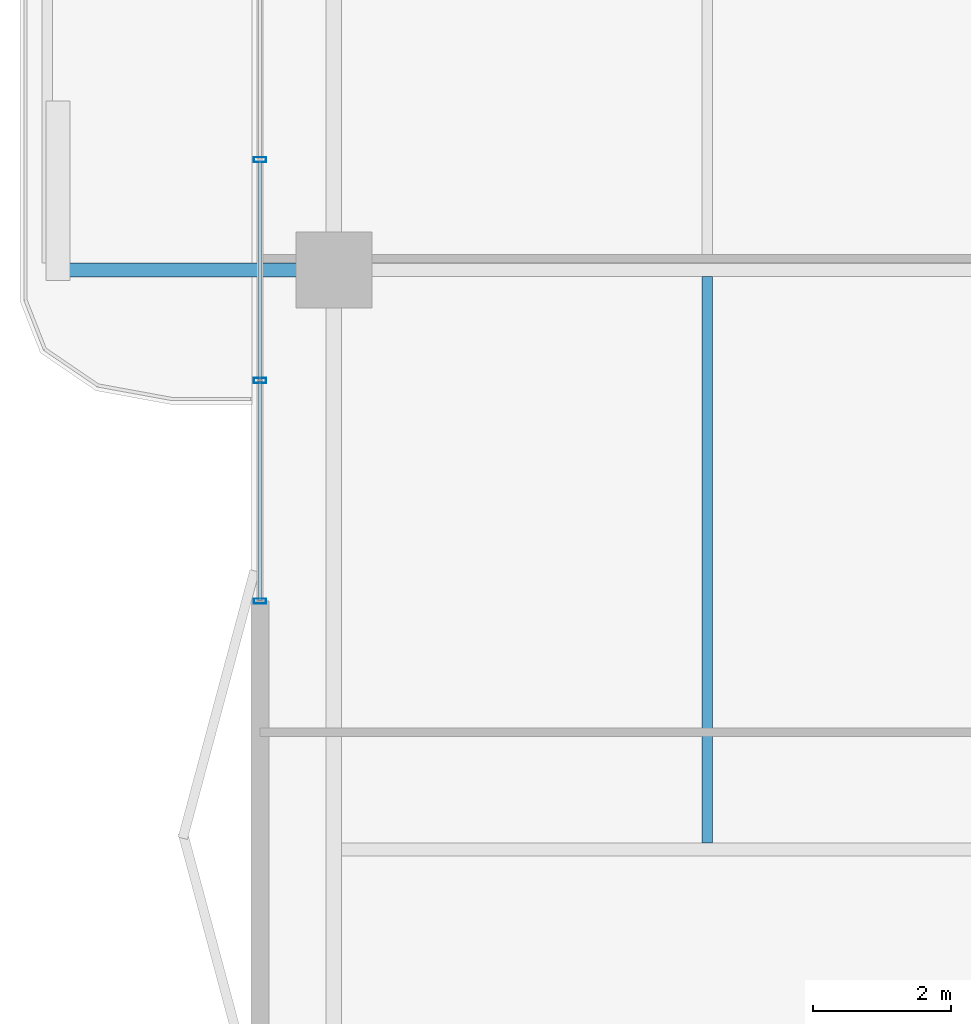
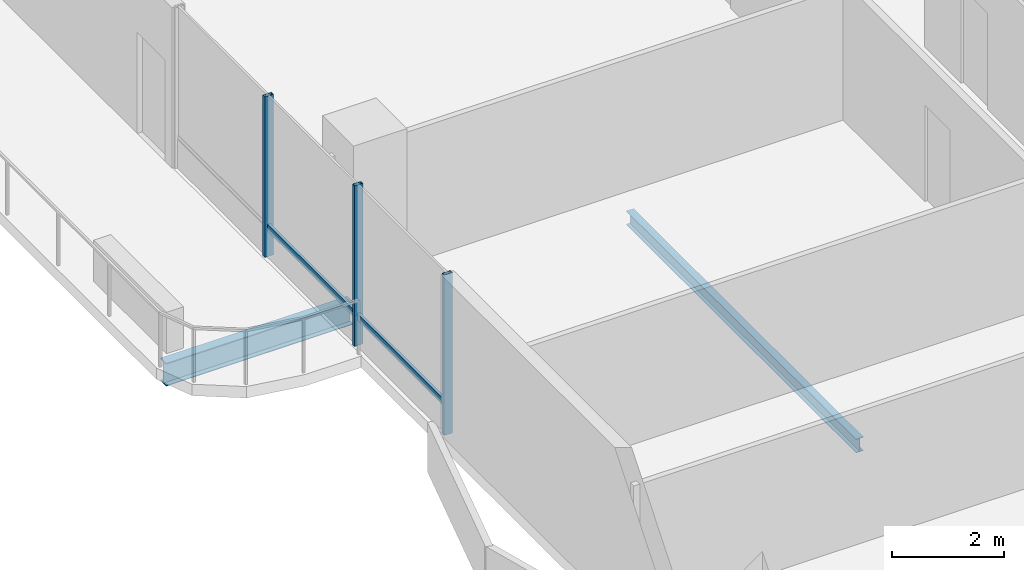
# One storey, part 4 of 24: 5 members, 2 beams, 1 element without a shape of its own.
"""IFC4 building model written with IfcOpenShell, lengths in metres."""

import ifcopenshell
import ifcopenshell.guid

model = None  # the IFC model being written
_history = None  # IfcOwnerHistory: only IFC2X3 demands one
_inside = {}  # id of a spatial element -> (the spatial element, [elements in it])
_under = {}  # id of a project, library or spatial element -> (it, [spatial elements below it])
_declared = {}  # id of a project -> (the project, [libraries it declares])
_typed = {}  # id of a type object -> (the type object, [elements of that type])
_made_of = {}  # id of a material, layer set ... -> (it, [elements and type objects made of it])


def new_model(schema):
    """Start an empty IFC model of exactly this schema.

    Asked for "IFC4X3", IfcOpenShell would pick the latest addendum, in which some entities
    have other attributes; the version numbers below select the first issue.
    IFC2X3 requires an IfcOwnerHistory on every rooted entity: one is made here for all.
    """
    global model, _history
    if schema == "IFC4X3":
        model = ifcopenshell.file(schema_version=(4, 3, 0, 0))
    else:
        model = ifcopenshell.file(schema=schema)
    _inside.clear()
    _under.clear()
    _declared.clear()
    _typed.clear()
    _made_of.clear()
    _history = None
    if model.schema == "IFC2X3":
        org = make("IfcOrganization", Name="unknown")
        user = make(
            "IfcPersonAndOrganization",
            ThePerson=make("IfcPerson", FamilyName="unknown"),
            TheOrganization=org,
        )
        app = make(
            "IfcApplication",
            ApplicationDeveloper=org,
            Version="unknown",
            ApplicationFullName="unknown",
            ApplicationIdentifier="unknown",
        )
        _history = make(
            "IfcOwnerHistory",
            OwningUser=user,
            OwningApplication=app,
            ChangeAction="ADDED",
            CreationDate=0,
        )
    return model


def make(cls, **values):
    """One entity of the class cls with the attributes given. An attribute that is None is left unset."""
    return model.create_entity(
        cls, **{name: value for name, value in values.items() if value is not None}
    )


def rooted(cls, **values):
    """An entity with a GlobalId (a new one), such as an element, a storey or a relation."""
    return make(cls, GlobalId=ifcopenshell.guid.new(), OwnerHistory=_history, **values)


def si_unit(unit_type, name, prefix=None):
    """IfcSIUnit, for example si_unit("LENGTHUNIT", "METRE", prefix="MILLI")."""
    return make("IfcSIUnit", UnitType=unit_type, Prefix=prefix, Name=name)


def assignment(units):
    """IfcUnitAssignment: the units of a project."""
    return None if units is None else make("IfcUnitAssignment", Units=units)


def point(xyz):
    """IfcCartesianPoint."""
    return None if xyz is None else make("IfcCartesianPoint", Coordinates=xyz)


def direction(xyz):
    """IfcDirection."""
    return None if xyz is None else make("IfcDirection", DirectionRatios=xyz)


def frame(location, z_axis=None, x_axis=None):
    """IfcAxis2Placement3D, a coordinate frame: its origin and axes. An axis left out is left unset."""
    return make(
        "IfcAxis2Placement3D",
        Location=point(location),
        Axis=direction(z_axis),
        RefDirection=direction(x_axis),
    )


def frame_2d(location, x_axis=None):
    """IfcAxis2Placement2D, a coordinate frame in the plane: its origin and x axis."""
    return make(
        "IfcAxis2Placement2D", Location=point(location), RefDirection=direction(x_axis)
    )


def origin():
    """The frame at (0, 0, 0) with its axes left unset."""
    return frame((0.0, 0.0, 0.0))


def origin_2d():
    """The frame at (0, 0) in the plane with its x axis left unset."""
    return frame_2d((0.0, 0.0))


def place(relative_to, where):
    """IfcLocalPlacement: puts the frame where relative to a parent placement (None: the world)."""
    return make(
        "IfcLocalPlacement", PlacementRelTo=relative_to, RelativePlacement=where
    )


def context(
    kind, dimensions, precision=None, world=None, true_north=None, identifier=None
):
    """IfcGeometricRepresentationContext, for example the 3D "Model" context."""
    return make(
        "IfcGeometricRepresentationContext",
        ContextIdentifier=identifier,
        ContextType=kind,
        CoordinateSpaceDimension=dimensions,
        Precision=precision,
        WorldCoordinateSystem=world,
        TrueNorth=true_north,
    )


def subcontext(parent, identifier, kind, view, scale=None):
    """IfcGeometricRepresentationSubContext, for example "Body" below "Model"."""
    return make(
        "IfcGeometricRepresentationSubContext",
        ContextIdentifier=identifier,
        ContextType=kind,
        ParentContext=parent,
        TargetScale=scale,
        TargetView=view,
    )


def project(units=None, contexts=None):
    """IfcProject with its units and contexts."""
    return rooted(
        "IfcProject",
        Name="project",
        RepresentationContexts=contexts,
        UnitsInContext=assignment(units),
    )


def spatial(cls, under=None, at=None, **own):
    """A site, building, storey or space (cls), placed at a placement, below another one or the project."""
    s = rooted(cls, ObjectPlacement=at, **own)
    if under is not None:
        _under.setdefault(under.id(), (under, []))[1].append(s)
    return s


def profile(cls, at=None, kind="AREA", **sizes):
    """A parametric profile (cls). Its sizes go by their IFC names, for example OverallWidth=200.0."""
    return make(cls, ProfileType=kind, Position=at, **sizes)


def hollow_rectangle(**sizes):
    """IfcRectangleHollowProfileDef."""
    return profile("IfcRectangleHollowProfileDef", **sizes)


def i_section(**sizes):
    """IfcIShapeProfileDef."""
    return profile("IfcIShapeProfileDef", **sizes)


def extrude(swept, where, along, depth):
    """IfcExtrudedAreaSolid: the profile swept, set in the frame where, extruded along a direction by depth."""
    return make(
        "IfcExtrudedAreaSolid",
        SweptArea=swept,
        Position=where,
        ExtrudedDirection=direction(along),
        Depth=depth,
    )


def shape(context_of_items, identifier, shape_type, items):
    """IfcShapeRepresentation: the items that make up one representation, for example the "Body"."""
    return make(
        "IfcShapeRepresentation",
        ContextOfItems=context_of_items,
        RepresentationIdentifier=identifier,
        RepresentationType=shape_type,
        Items=items,
    )


def material(Name=None, Category=None):
    """IfcMaterial."""
    return make("IfcMaterial", Name=Name, Category=Category)


def layer(
    of_material, thickness, ventilated=None, Name=None, Category=None, Priority=None
):
    """IfcMaterialLayer: one layer of a wall or slab, of a material (None: an air gap)."""
    return make(
        "IfcMaterialLayer",
        Material=of_material,
        LayerThickness=thickness,
        IsVentilated=ventilated,
        Name=Name,
        Category=Category,
        Priority=Priority,
    )


def layer_set(layers, Name=None):
    """IfcMaterialLayerSet."""
    return make("IfcMaterialLayerSet", MaterialLayers=layers, LayerSetName=Name)


def material_profile(
    of_material, cross_section, Name=None, Category=None, Priority=None
):
    """IfcMaterialProfile: a cross section and its material."""
    return make(
        "IfcMaterialProfile",
        Name=Name,
        Material=of_material,
        Profile=cross_section,
        Priority=Priority,
        Category=Category,
    )


def profile_set(profiles, Name=None, composite=None):
    """IfcMaterialProfileSet."""
    return make(
        "IfcMaterialProfileSet",
        Name=Name,
        MaterialProfiles=profiles,
        CompositeProfile=composite,
    )


def made_of(thing, what):
    """Note that an element or type object is made of a material, layer set ...; save() writes the relation."""
    if what is not None:
        _made_of.setdefault(what.id(), (what, []))[1].append(thing)
    return thing


def type_object(cls, material=None, **own):
    """A type object (cls), such as IfcWallType, which elements share."""
    return made_of(rooted(cls, **own), material)


def element(
    cls,
    number,
    at=None,
    inside=None,
    cuts=None,
    type_object=None,
    material=None,
    context=None,
    identifier="Body",
    shape_type=None,
    held_by="IfcProductDefinitionShape",
    body=None,
    shapes=None,
    **own,
):
    """One element of the class cls, such as IfcWall. Its Tag is "e" and its number.

    at: its placement. inside: the storey or other place that contains it. cuts: it is an
    opening in that element (IfcRelVoidsElement). A single representation is given by context,
    identifier, shape_type and body (its items); several are given by shapes. held_by: the class
    of the entity that holds the representations. save() writes the other relations.
    """
    e = rooted(cls, Tag="e%d" % number, ObjectPlacement=at, **own)
    if body is not None:
        shapes = [shape(context, identifier, shape_type, body)]
    if shapes is not None:
        e.Representation = make(held_by, Representations=shapes)
    if inside is not None:
        _inside.setdefault(inside.id(), (inside, []))[1].append(e)
    if cuts is not None:
        rooted(
            "IfcRelVoidsElement", RelatingBuildingElement=cuts, RelatedOpeningElement=e
        )
    if type_object is not None:
        _typed.setdefault(type_object.id(), (type_object, []))[1].append(e)
    return made_of(e, material)


def aggregate(whole, parts):
    """IfcRelAggregates: a whole, such as a stair, and the parts it consists of."""
    return rooted("IfcRelAggregates", RelatingObject=whole, RelatedObjects=parts)


def save(model, path):
    """Write the relations noted so far, then the file.

    IfcRelAggregates (storeys below a building ...), IfcRelContainedInSpatialStructure (elements
    in a storey), IfcRelDefinesByType, IfcRelAssociatesMaterial and IfcRelDeclares: one each for
    every whole, place, type object, material and project.
    """
    for whole, parts in _under.values():
        aggregate(whole, parts)
    for where, things in _inside.values():
        rooted(
            "IfcRelContainedInSpatialStructure",
            RelatedElements=things,
            RelatingStructure=where,
        )
    for kind, things in _typed.values():
        rooted("IfcRelDefinesByType", RelatedObjects=things, RelatingType=kind)
    for what, things in _made_of.values():
        rooted("IfcRelAssociatesMaterial", RelatedObjects=things, RelatingMaterial=what)
    for by, libraries in _declared.values():
        rooted("IfcRelDeclares", RelatingContext=by, RelatedDefinitions=libraries)
    model.write(path)


model = new_model("IFC4")

# Units and contexts
model_context = context("Model", 3, precision=1e-05, world=origin(), true_north=direction((0.0, 1.0)))
body_context = subcontext(model_context, "Body", "Model", "MODEL_VIEW")
ifc_project = project(units=[si_unit("LENGTHUNIT", "METRE"), si_unit("AREAUNIT", "SQUARE_METRE"), si_unit("VOLUMEUNIT", "CUBIC_METRE"), si_unit("PLANEANGLEUNIT", "RADIAN"), si_unit("MASSUNIT", "GRAM", prefix="KILO")], contexts=[model_context])

# Site, building, storey
site_placement = place(None, origin())
site = spatial("IfcSite", under=ifc_project, at=site_placement, CompositionType="ELEMENT")
building_placement = place(site_placement, origin())
building = spatial("IfcBuilding", under=site, at=building_placement, Name="Belovzor Exchange Tower", CompositionType="ELEMENT")
storey_placement = place(building_placement, frame((0.0, 0.0, 207.449951171875)))
storey = spatial("IfcBuildingStorey", under=building, at=storey_placement, Name="L51", CompositionType="ELEMENT", Elevation=207.449951171875)

# Beams
ifc_material_1 = material(Name="Steel S355", Category="steel")
ifc_material_profile_1 = material_profile(ifc_material_1, i_section(OverallWidth=0.199951171875, OverallDepth=0.5, WebThickness=0.01025390625, FlangeThickness=0.01611328125, at=origin_2d()))
ifc_profile_set_1 = profile_set([ifc_material_profile_1], Name="Steel S355")
beam_type_1 = type_object("IfcBeamType", Name="Planted Balcony Cantilever Beam IPE 500", PredefinedType="BEAM", material=ifc_profile_set_1)
beam_1_placement = place(storey_placement, frame((2.697021484375, 28.800048828125, -0.5), z_axis=(-1.0, 0.0, 0.0), x_axis=(0.0, -1.0, 0.0)))
element("IfcBeam", 1, at=beam_1_placement, inside=storey, type_object=beam_type_1, Name="BC-500 Planted Balcony Cantilever Beam IPE 500", PredefinedType="BEAM", context=body_context, shape_type="SweptSolid", body=[
    extrude(i_section(OverallWidth=0.199951171875, OverallDepth=0.5, WebThickness=0.01025390625, FlangeThickness=0.01611328125, at=origin_2d()), origin(), (0.0, 0.0, 1.0), 3.85009765625),
])
ifc_material_2 = material(Name="Steel S355", Category="steel")
ifc_material_profile_2 = material_profile(ifc_material_2, i_section(OverallWidth=0.14990234375, OverallDepth=0.300048828125, WebThickness=0.007080078125, FlangeThickness=0.0107421875, at=origin_2d()))
ifc_profile_set_2 = profile_set([ifc_material_profile_2], Name="Steel S355")
beam_type_2 = type_object("IfcBeamType", Name="Secondary Trim Floor Joist IPE 300", PredefinedType="BEAM", material=ifc_profile_set_2)
beam_2_placement = place(storey_placement, frame((8.4130859375, 20.4951171875, -0.39990234375), z_axis=(0.0, 1.0, 0.0), x_axis=(-1.0, 0.0, 0.0)))
element("IfcBeam", 2, at=beam_2_placement, inside=storey, type_object=beam_type_2, Name="FJ-300 Secondary Trim Floor Joist IPE 300", PredefinedType="BEAM", context=body_context, shape_type="SweptSolid", body=[
    extrude(i_section(OverallWidth=0.14990234375, OverallDepth=0.300048828125, WebThickness=0.007080078125, FlangeThickness=0.0107421875, at=origin_2d()), origin(), (0.0, 0.0, 1.0), 8.2099609375),
])

# Curtain wall, members
ifc_material_3 = material(Name="Anodised Aluminium Framing", Category="aluminium")
ifc_layer = layer(ifc_material_3, 0.179931640625)
ifc_layer_set = layer_set([ifc_layer], Name="Anodised Aluminium Framing")
curtain_wall_type = type_object("IfcCurtainWallType", Name="Recessed Loggia Low-Iron Triple-Glazed Curtain Wall", PredefinedType="NOTDEFINED", material=ifc_layer_set)
curtain_wall_placement = place(storey_placement, origin())
curtain_wall = element("IfcCurtainWall", 3, at=curtain_wall_placement, inside=storey, type_object=curtain_wall_type, Name="CW3 Recessed Loggia Low-Iron Triple-Glazed Curtain Wall L51", PredefinedType="NOTDEFINED")
ifc_material_4 = material(Name="Steel S355", Category="steel")
ifc_material_profile_3 = material_profile(ifc_material_4, hollow_rectangle(XDim=0.074951171875, YDim=0.179931640625, WallThickness=0.0048828125, at=origin_2d()))
ifc_profile_set_3 = profile_set([ifc_material_profile_3], Name="Steel S355")
member_type_1 = type_object("IfcMemberType", Name="Thermally Broken Curtain Wall Mullion 180x75", PredefinedType="MULLION", material=ifc_profile_set_3)
member_1_placement = place(storey_placement, frame((1.929931640625, 24.0, 0.0), z_axis=(0.0, 0.0, 1.0), x_axis=(0.0, 1.0, 0.0)))
member_1 = element("IfcMember", 4, at=member_1_placement, type_object=member_type_1, Name="CW-M180 Curtain Wall Mullion 1", PredefinedType="MULLION", context=body_context, shape_type="SweptSolid", body=[
    extrude(hollow_rectangle(XDim=0.074951171875, YDim=0.179931640625, WallThickness=0.0048828125, at=origin_2d()), origin(), (0.0, 0.0, 1.0), 3.5),
])
member_2_placement = place(storey_placement, frame((1.929931640625, 27.199951171875, 0.0), z_axis=(0.0, 0.0, 1.0), x_axis=(0.0, 1.0, 0.0)))
member_2 = element("IfcMember", 5, at=member_2_placement, type_object=member_type_1, Name="CW-M180 Curtain Wall Mullion 2", PredefinedType="MULLION", context=body_context, shape_type="SweptSolid", body=[
    extrude(hollow_rectangle(XDim=0.074951171875, YDim=0.179931640625, WallThickness=0.0048828125, at=origin_2d()), origin(), (0.0, 0.0, 1.0), 3.5),
])
member_3_placement = place(storey_placement, frame((1.929931640625, 30.39990234375, 0.0), z_axis=(0.0, 0.0, 1.0), x_axis=(0.0, 1.0, 0.0)))
member_3 = element("IfcMember", 6, at=member_3_placement, type_object=member_type_1, Name="CW-M180 Curtain Wall Mullion 3", PredefinedType="MULLION", context=body_context, shape_type="SweptSolid", body=[
    extrude(hollow_rectangle(XDim=0.074951171875, YDim=0.179931640625, WallThickness=0.0048828125, at=origin_2d()), origin(), (0.0, 0.0, 1.0), 3.5),
])
ifc_material_5 = material(Name="Steel S355", Category="steel")
ifc_material_profile_4 = material_profile(ifc_material_5, hollow_rectangle(XDim=0.06005859375, YDim=0.14990234375, WallThickness=0.00390625, at=origin_2d()))
ifc_profile_set_4 = profile_set([ifc_material_profile_4], Name="Steel S355")
member_type_2 = type_object("IfcMemberType", Name="Thermally Broken Curtain Wall Transom 150x60", PredefinedType="USERDEFINED", material=ifc_profile_set_4)
member_4_placement = place(storey_placement, frame((1.929931640625, 24.008056640625, 0.630126953125), z_axis=(0.0, 1.0, 0.0), x_axis=(-1.0, 0.0, 0.0)))
member_4 = element("IfcMember", 7, at=member_4_placement, type_object=member_type_2, Name="CW-T150 Curtain Wall Transom 1", ObjectType="TRANSOM", PredefinedType="USERDEFINED", context=body_context, shape_type="SweptSolid", body=[
    extrude(hollow_rectangle(XDim=0.06005859375, YDim=0.14990234375, WallThickness=0.00390625, at=origin_2d()), origin(), (0.0, 0.0, 1.0), 3.183837890625),
])
member_5_placement = place(storey_placement, frame((1.929931640625, 27.2080078125, 0.630126953125), z_axis=(0.0, 1.0, 0.0), x_axis=(-1.0, 0.0, 0.0)))
member_5 = element("IfcMember", 8, at=member_5_placement, type_object=member_type_2, Name="CW-T150 Curtain Wall Transom 2", ObjectType="TRANSOM", PredefinedType="USERDEFINED", context=body_context, shape_type="SweptSolid", body=[
    extrude(hollow_rectangle(XDim=0.06005859375, YDim=0.14990234375, WallThickness=0.00390625, at=origin_2d()), origin(), (0.0, 0.0, 1.0), 3.18408203125),
])
aggregate(curtain_wall, [member_1, member_2, member_3, member_4, member_5])

save(model, "model.ifc")
